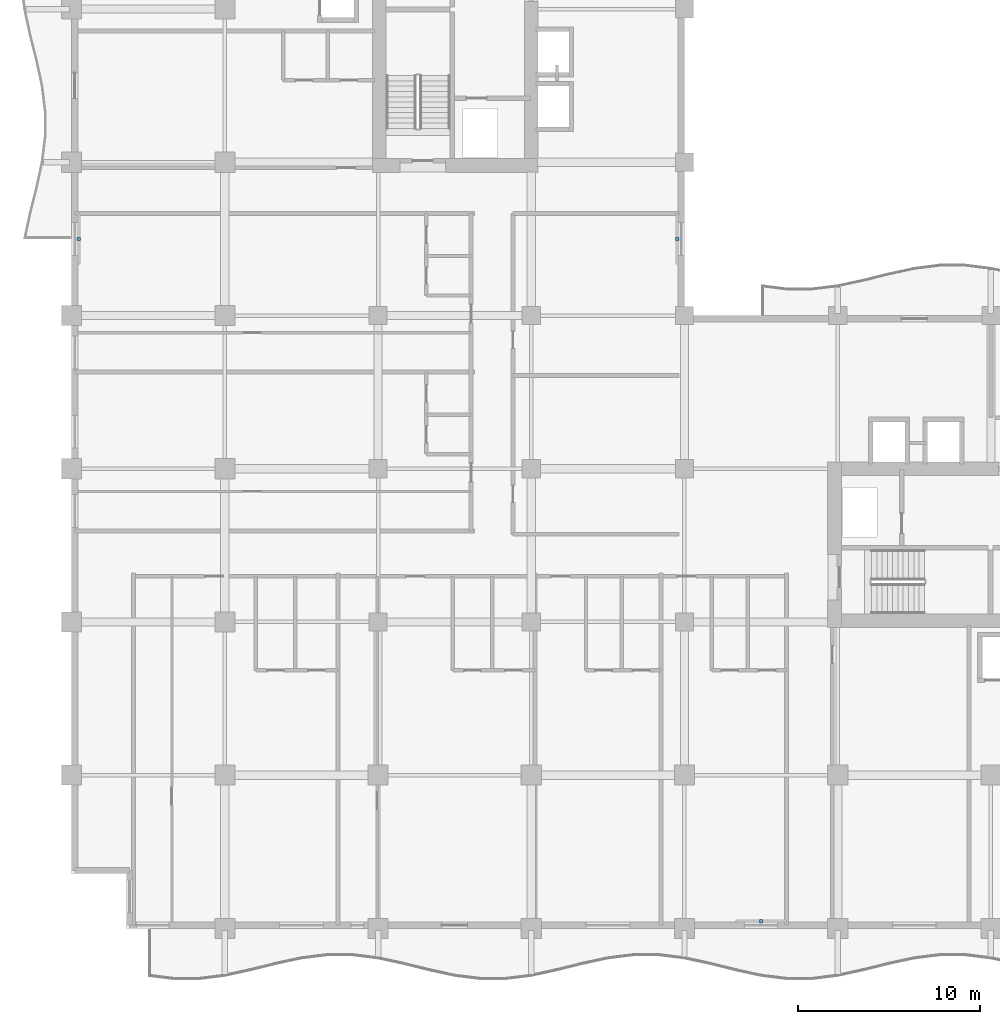
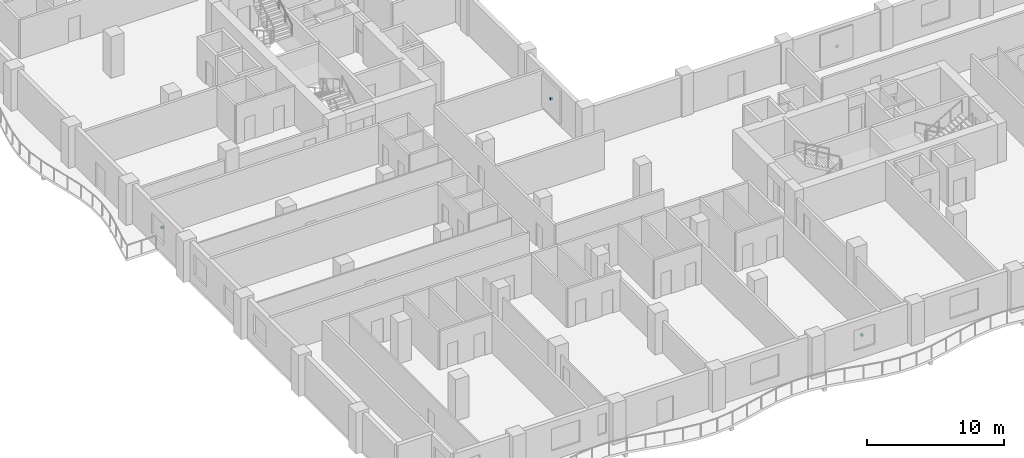
# One storey, part 11 of 16: 3 discrete accessories.
"""IFC4 building model written with IfcOpenShell, lengths in metres."""

from ifc_helpers import new_model, si_unit, direction, frame, origin, origin_2d, place, context, subcontext, project, spatial, rectangle, extrude, material, type_object, element, save


model = new_model("IFC4")

# Units and contexts
model_context = context("Model", 3, precision=1e-05, world=origin(), true_north=direction((0.0, 1.0)))
body_context = subcontext(model_context, "Body", "Model", "MODEL_VIEW")
ifc_project = project(units=[si_unit("LENGTHUNIT", "METRE"), si_unit("AREAUNIT", "SQUARE_METRE"), si_unit("VOLUMEUNIT", "CUBIC_METRE"), si_unit("PLANEANGLEUNIT", "RADIAN"), si_unit("MASSUNIT", "GRAM", prefix="KILO")], contexts=[model_context])

# Site, building, storey
site_placement = place(None, origin())
site = spatial("IfcSite", under=ifc_project, at=site_placement, CompositionType="ELEMENT")
building_placement = place(site_placement, origin())
building = spatial("IfcBuilding", under=site, at=building_placement, Name="Koriwani Terraces Tower", CompositionType="ELEMENT")
storey_placement = place(building_placement, frame((0.0, 0.0, 179.10009765625)))
storey = spatial("IfcBuildingStorey", under=building, at=storey_placement, Name="L43", CompositionType="ELEMENT", Elevation=179.10009765625)

# Discrete accessories
ifc_material = material(Name="Steel ASTM A572 Grade 50", Category="steel")
discrete_accessory_type = type_object("IfcDiscreteAccessoryType", Name="BAGUETTE_STANDOFF_BRACKET", PredefinedType="BRACKET", material=ifc_material)
for number, where, z_axis, x_axis, name in (
    (1, (0.389892578125, 37.800048828125, 1.64501953125), (0.0, 0.0, 1.0), (0.0, 1.0, 0.0), "L43 Terracotta Baguette Bracket (W-12)"),
    (2, (33.2099609375, 37.800048828125, 1.64501953125), (0.0, 0.0, 1.0), (0.0, -1.0, 0.0), "L43 Terracotta Baguette Bracket (NW_IN-2)"),
    (3, (37.800048828125, 0.389892578125, 1.64501953125), (0.0, 0.0, 1.0), (-1.0, 0.0, 0.0), "L43 Terracotta Baguette Bracket (S-12)"),
):
    element("IfcDiscreteAccessory", number, at=place(storey_placement, frame(where, z_axis=z_axis, x_axis=x_axis)), inside=storey, type_object=discrete_accessory_type, Name=name, PredefinedType="BRACKET", context=body_context, shape_type="SweptSolid", body=[
        extrude(rectangle(XDim=0.159912109375, YDim=0.199951171875, at=origin_2d()), origin(), (0.0, 0.0, 1.0), 0.179931640625),
    ])

save(model, "model.ifc")
